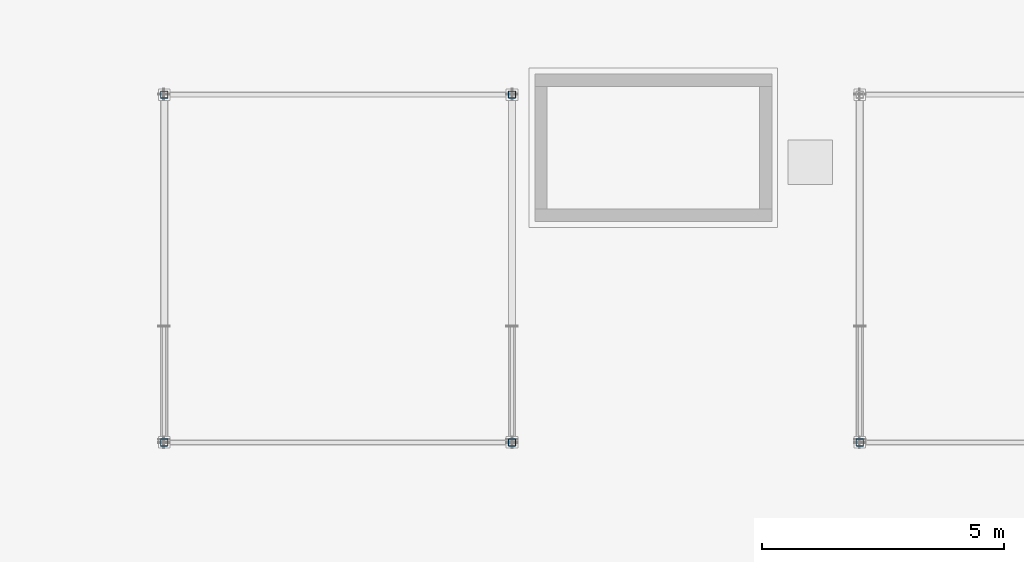
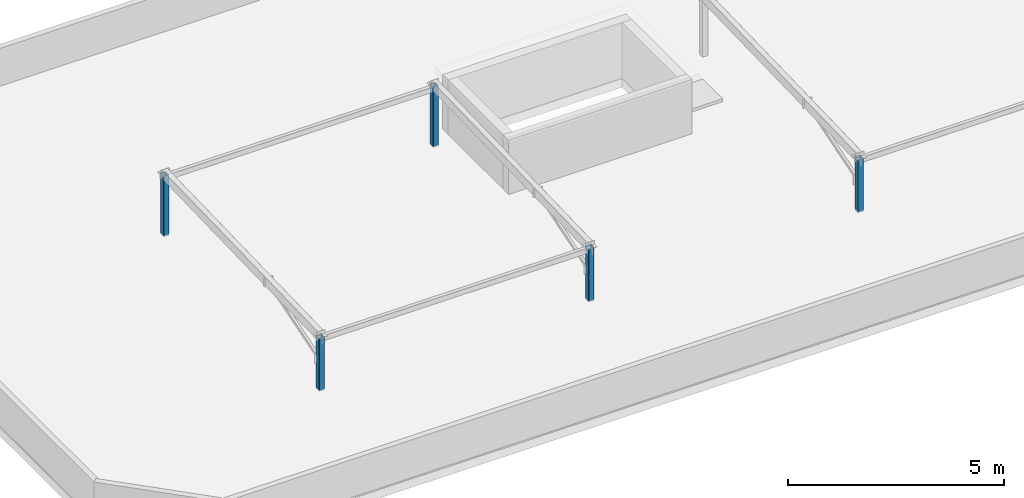
# One storey, part 1 of 16: 5 columns.
"""IFC4 building model written with IfcOpenShell, lengths in metres."""

from ifc_helpers import new_model, si_unit, direction, frame, origin, origin_2d, place, context, subcontext, project, spatial, hollow_rectangle, extrude, material, material_profile, profile_set, type_object, element, save


model = new_model("IFC4")

# Units and contexts
model_context = context("Model", 3, precision=1e-05, world=origin(), true_north=direction((0.0, 1.0)))
body_context = subcontext(model_context, "Body", "Model", "MODEL_VIEW")
ifc_project = project(units=[si_unit("LENGTHUNIT", "METRE"), si_unit("AREAUNIT", "SQUARE_METRE"), si_unit("VOLUMEUNIT", "CUBIC_METRE"), si_unit("PLANEANGLEUNIT", "RADIAN"), si_unit("MASSUNIT", "GRAM", prefix="KILO")], contexts=[model_context])

# Site, building, storey
site_placement = place(None, origin())
site = spatial("IfcSite", under=ifc_project, at=site_placement, CompositionType="ELEMENT")
building_placement = place(site_placement, origin())
building = spatial("IfcBuilding", under=site, at=building_placement, Name="Ochrevale Crest", CompositionType="ELEMENT")
storey_placement = place(building_placement, frame((0.0, 0.0, 46.5)))
storey = spatial("IfcBuildingStorey", under=building, at=storey_placement, Name="L14", CompositionType="ELEMENT", Elevation=46.5)

# Columns
ifc_material = material(Name="Steel S355", Category="steel")
ifc_material_profile = material_profile(ifc_material, hollow_rectangle(XDim=0.14990234375, YDim=0.14990234375, WallThickness=0.006103515625, InnerFilletRadius=0.006103515625, OuterFilletRadius=0.011962890625, at=origin_2d()), Name="150x150x6.0SHS")
ifc_profile_set = profile_set([ifc_material_profile], Name="Steel S355")
column_type = type_object("IfcColumnType", Name="COL-SHS150", PredefinedType="COLUMN", material=ifc_profile_set)
column_1_placement = place(storey_placement, frame((136.800048828125, 21.60009765625, 0.0), z_axis=(0.0, 0.0, 1.0), x_axis=(1.0, 0.0, 0.0)))
element("IfcColumn", 1, at=column_1_placement, inside=storey, type_object=column_type, Name="Block C solar-frame support post", PredefinedType="COLUMN", context=body_context, shape_type="SweptSolid", body=[
    extrude(hollow_rectangle(XDim=0.14990234375, YDim=0.14990234375, WallThickness=0.006103515625, InnerFilletRadius=0.006103515625, OuterFilletRadius=0.011962890625, at=origin_2d()), origin(), (0.0, 0.0, 1.0), 1.52001953125),
])
column_2_placement = place(storey_placement, frame((136.800048828125, 28.800048828125, 0.0), z_axis=(0.0, 0.0, 1.0), x_axis=(1.0, 0.0, 0.0)))
element("IfcColumn", 2, at=column_2_placement, inside=storey, type_object=column_type, Name="Block C solar-frame support post", PredefinedType="COLUMN", context=body_context, shape_type="SweptSolid", body=[
    extrude(hollow_rectangle(XDim=0.14990234375, YDim=0.14990234375, WallThickness=0.006103515625, InnerFilletRadius=0.006103515625, OuterFilletRadius=0.011962890625, at=origin_2d()), origin(), (0.0, 0.0, 1.0), 1.719970703125),
])
column_3_placement = place(storey_placement, frame((144.0, 21.60009765625, 0.0), z_axis=(0.0, 0.0, 1.0), x_axis=(1.0, 0.0, 0.0)))
element("IfcColumn", 3, at=column_3_placement, inside=storey, type_object=column_type, Name="Block C solar-frame support post", PredefinedType="COLUMN", context=body_context, shape_type="SweptSolid", body=[
    extrude(hollow_rectangle(XDim=0.14990234375, YDim=0.14990234375, WallThickness=0.006103515625, InnerFilletRadius=0.006103515625, OuterFilletRadius=0.011962890625, at=origin_2d()), origin(), (0.0, 0.0, 1.0), 1.52001953125),
])
column_4_placement = place(storey_placement, frame((144.0, 28.800048828125, 0.0), z_axis=(0.0, 0.0, 1.0), x_axis=(1.0, 0.0, 0.0)))
element("IfcColumn", 4, at=column_4_placement, inside=storey, type_object=column_type, Name="Block C solar-frame support post", PredefinedType="COLUMN", context=body_context, shape_type="SweptSolid", body=[
    extrude(hollow_rectangle(XDim=0.14990234375, YDim=0.14990234375, WallThickness=0.006103515625, InnerFilletRadius=0.006103515625, OuterFilletRadius=0.011962890625, at=origin_2d()), origin(), (0.0, 0.0, 1.0), 1.719970703125),
])
column_5_placement = place(storey_placement, frame((151.199951171875, 21.60009765625, 0.0), z_axis=(0.0, 0.0, 1.0), x_axis=(1.0, 0.0, 0.0)))
element("IfcColumn", 5, at=column_5_placement, inside=storey, type_object=column_type, Name="Block C solar-frame support post", PredefinedType="COLUMN", context=body_context, shape_type="SweptSolid", body=[
    extrude(hollow_rectangle(XDim=0.14990234375, YDim=0.14990234375, WallThickness=0.006103515625, InnerFilletRadius=0.006103515625, OuterFilletRadius=0.011962890625, at=origin_2d()), origin(), (0.0, 0.0, 1.0), 1.52001953125),
])

save(model, "model.ifc")
